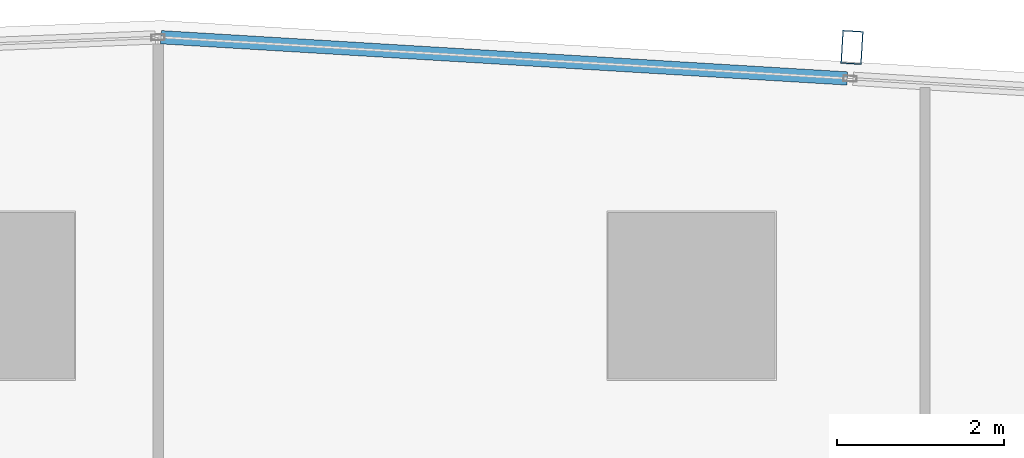
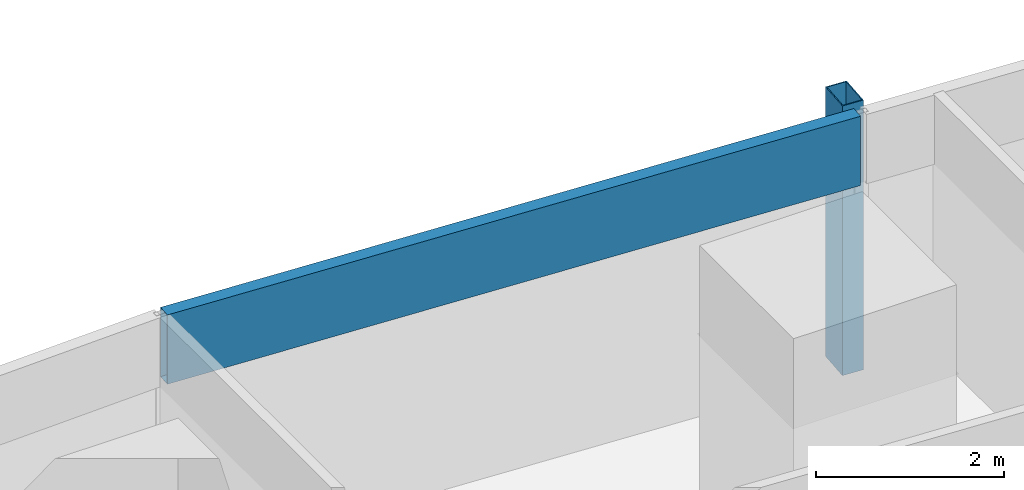
# One storey, part 22 of 39: 2 members, 1 element without a shape of its own.
"""IFC4 building model written with IfcOpenShell, lengths in metres."""

from ifc_helpers import new_model, si_unit, direction, frame, origin, origin_2d, place, context, subcontext, project, spatial, hollow_rectangle, extrude, material, material_profile, profile_set, type_object, element, aggregate, save


model = new_model("IFC4")

# Units and contexts
model_context = context("Model", 3, precision=1e-05, world=origin(), true_north=direction((0.0, 1.0)))
body_context = subcontext(model_context, "Body", "Model", "MODEL_VIEW")
ifc_project = project(units=[si_unit("LENGTHUNIT", "METRE"), si_unit("AREAUNIT", "SQUARE_METRE"), si_unit("VOLUMEUNIT", "CUBIC_METRE"), si_unit("PLANEANGLEUNIT", "RADIAN"), si_unit("MASSUNIT", "GRAM", prefix="KILO")], contexts=[model_context])

# Site, building, storey
site_placement = place(None, origin())
site = spatial("IfcSite", under=ifc_project, at=site_placement, CompositionType="ELEMENT")
building_placement = place(site_placement, origin())
building = spatial("IfcBuilding", under=site, at=building_placement, Name="Rekha Terrace Tower", CompositionType="ELEMENT")
storey_placement = place(building_placement, frame((0.0, 0.0, 147.800048828125)))
storey = spatial("IfcBuildingStorey", under=building, at=storey_placement, Name="L37", CompositionType="ELEMENT", Elevation=147.800048828125)

# Curtain wall, members
ifc_material_1 = material(Name="Aluminium framing", Category="aluminium")
curtain_wall_type = type_object("IfcCurtainWallType", Name="CW3 north unitised glazing", PredefinedType="USERDEFINED", material=ifc_material_1)
curtain_wall_placement = place(storey_placement, origin())
curtain_wall = element("IfcCurtainWall", 1, at=curtain_wall_placement, inside=storey, type_object=curtain_wall_type, Name="CW3 unitised curtain wall", ObjectType="UNITISED CURTAIN WALL", PredefinedType="USERDEFINED")
ifc_material_2 = material(Name="Steel S355 with fluorocarbon finish", Category="steel")
ifc_material_profile_1 = material_profile(ifc_material_2, hollow_rectangle(XDim=0.25, YDim=0.39990234375, WallThickness=0.012451171875, at=origin_2d()), Name="RHS400x250x12.5")
ifc_profile_set_1 = profile_set([ifc_material_profile_1], Name="Steel S355 with fluorocarbon finish")
member_type_1 = type_object("IfcMemberType", Name="BL1 facade blade RHS 400 x 250", PredefinedType="USERDEFINED", material=ifc_profile_set_1)
member_1_placement = place(storey_placement, frame((52.322265625, 61.777587890625, 0.0), z_axis=(0.0, 0.0, 1.0), x_axis=(-0.998199123409, 0.059987582268, 0.0)))
member_1 = element("IfcMember", 2, at=member_1_placement, type_object=member_type_1, Name="Facade blade", ObjectType="FACADE BLADE", PredefinedType="USERDEFINED", context=body_context, shape_type="SweptSolid", body=[
    extrude(hollow_rectangle(XDim=0.25, YDim=0.39990234375, WallThickness=0.012451171875, at=origin_2d()), origin(), (0.0, 0.0, 1.0), 3.5),
])
ifc_material_3 = material(Name="Insulated aluminium spandrel box", Category="aluminium")
ifc_material_profile_2 = material_profile(ifc_material_3, hollow_rectangle(XDim=0.159912109375, YDim=0.89990234375, WallThickness=0.0029296875, at=origin_2d()), Name="AL SPANDREL BOX 160x900")
ifc_profile_set_2 = profile_set([ifc_material_profile_2], Name="Insulated aluminium spandrel box")
member_type_2 = type_object("IfcMemberType", Name="CW3 spandrel transom 160 x 900", PredefinedType="USERDEFINED", material=ifc_profile_set_2)
member_2_placement = place(storey_placement, frame((52.2646484375, 61.4052734375, 3.050048828125), z_axis=(-0.998199102701, 0.059987926845, 0.0), x_axis=(-0.059987926845, -0.998199102701, 0.0)))
member_2 = element("IfcMember", 3, at=member_2_placement, type_object=member_type_2, Name="CW3 spandrel transom 3", ObjectType="TRANSOM", PredefinedType="USERDEFINED", context=body_context, shape_type="SweptSolid", body=[
    extrude(hollow_rectangle(XDim=0.159912109375, YDim=0.89990234375, WallThickness=0.0029296875, at=origin_2d()), origin(), (0.0, 0.0, 1.0), 8.241455078125),
])
aggregate(curtain_wall, [member_2, member_1])

save(model, "model.ifc")
